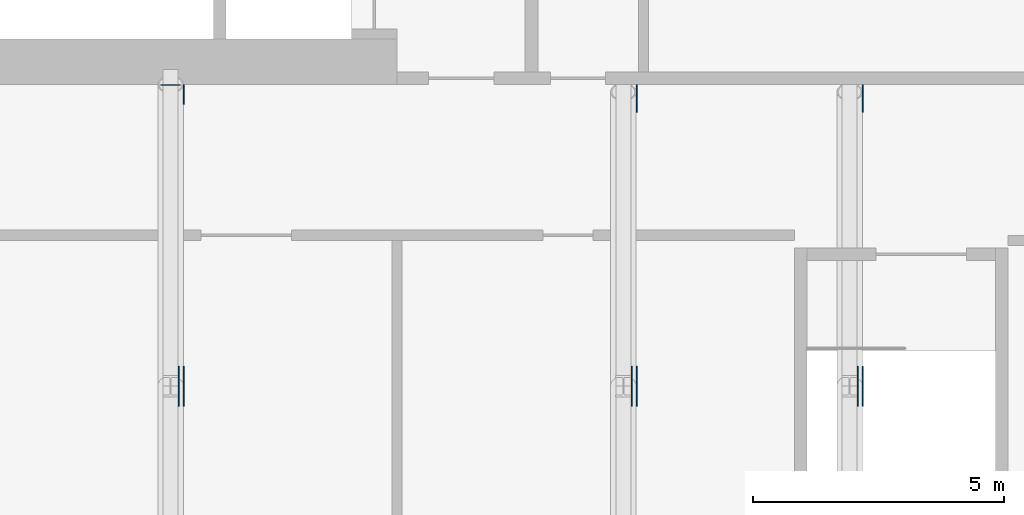
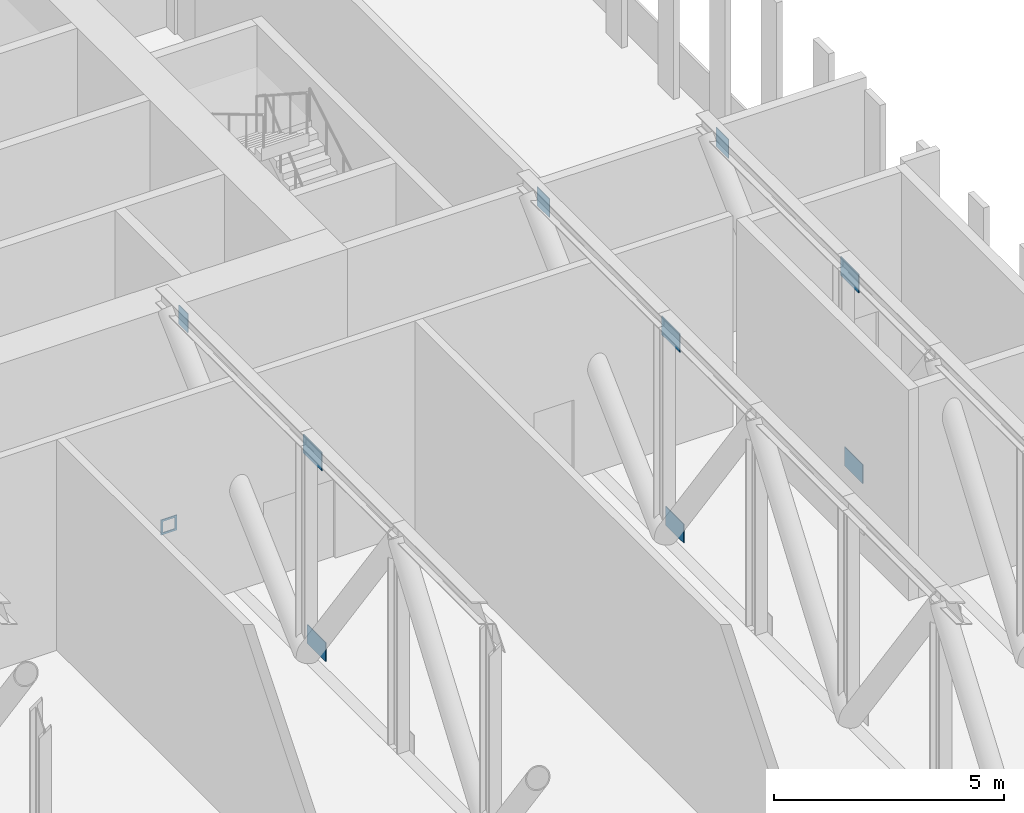
# One storey, part 18 of 26: 10 discrete accessories.
"""IFC4 building model written with IfcOpenShell, lengths in metres."""

from ifc_helpers import new_model, si_unit, direction, frame, origin, place, context, subcontext, project, spatial, polyline, outline, extrude, material, layer, layer_set, type_object, element, save


model = new_model("IFC4")

# Units and contexts
model_context = context("Model", 3, precision=1e-05, world=origin(), true_north=direction((0.0, 1.0)))
body_context = subcontext(model_context, "Body", "Model", "MODEL_VIEW")
ifc_project = project(units=[si_unit("LENGTHUNIT", "METRE"), si_unit("AREAUNIT", "SQUARE_METRE"), si_unit("VOLUMEUNIT", "CUBIC_METRE"), si_unit("PLANEANGLEUNIT", "RADIAN"), si_unit("MASSUNIT", "GRAM", prefix="KILO")], contexts=[model_context])

# Site, building, storey
site_placement = place(None, origin())
site = spatial("IfcSite", under=ifc_project, at=site_placement, CompositionType="ELEMENT")
building_placement = place(site_placement, origin())
building = spatial("IfcBuilding", under=site, at=building_placement, Name="Kajstack Hotel Tower", CompositionType="ELEMENT")
storey_placement = place(building_placement, frame((0.0, 0.0, 47.0)))
storey = spatial("IfcBuildingStorey", under=building, at=storey_placement, Name="L07", CompositionType="ELEMENT", Elevation=47.0)

# Discrete accessories
ifc_material = material(Name="Steel S355J2", Category="steel")
ifc_layer_1 = layer(ifc_material, 0.02490234375)
ifc_layer_set_1 = layer_set([ifc_layer_1], Name="CAST-IN PLATE")
discrete_accessory_type_1 = type_object("IfcDiscreteAccessoryType", Name="CAST-IN PLATE", PredefinedType="BRACKET", material=ifc_layer_set_1)
discrete_accessory_1_placement = place(storey_placement, frame((27.0, 1.47509765625, -0.14990234375), z_axis=(0.0, 1.0, 0.0), x_axis=(-1.0, 0.0, 0.0)))
element("IfcDiscreteAccessory", 1, at=discrete_accessory_1_placement, inside=storey, type_object=discrete_accessory_type_1, Name="Cast-in plate L07-002", PredefinedType="BRACKET", context=body_context, shape_type="SweptSolid", body=[
    extrude(outline(polyline([(-0.199951171875, -0.199951171875), (0.199951171875, -0.199951171875), (0.199951171875, 0.199951171875), (-0.199951171875, 0.199951171875), (-0.199951171875, -0.199951171875)]), holes=[polyline([(-0.14990234375, -0.14990234375), (-0.14990234375, 0.14990234375), (0.14990234375, 0.14990234375), (0.14990234375, -0.14990234375), (-0.14990234375, -0.14990234375)])]), origin(), (0.0, 0.0, 1.0), 0.02490234375),
])
ifc_layer_2 = layer(ifc_material, 0.02001953125)
ifc_layer_set_2 = layer_set([ifc_layer_2], Name="GUSSET PLATE")
discrete_accessory_type_2 = type_object("IfcDiscreteAccessoryType", Name="GUSSET PLATE", PredefinedType="BRACKET", material=ifc_layer_set_2)
for number, where, z_axis, x_axis, name in (
    (2, (27.25390625, -4.5, 0.0), (1.0, 0.0, 0.0), (0.0, 1.0, 0.0), "Gusset plate L07-125"),
    (3, (27.153564453125, -4.5, 5.10009765625), (1.0, 0.0, 0.0), (0.0, 1.0, 0.0), "Gusset plate L07-126"),
):
    element("IfcDiscreteAccessory", number, at=place(storey_placement, frame(where, z_axis=z_axis, x_axis=x_axis)), inside=storey, type_object=discrete_accessory_type_2, Name=name, PredefinedType="BRACKET", context=body_context, shape_type="SweptSolid", body=[
        extrude(outline(polyline([(-0.39990234375, 0.0), (0.39990234375, 0.0), (0.39990234375, 0.5), (-0.39990234375, 0.5), (-0.39990234375, 0.0)])), origin(), (0.0, 0.0, 1.0), 0.02001953125),
    ])
discrete_accessory_2_placement = place(storey_placement, frame((27.25390625, 1.5, 5.10009765625), z_axis=(1.0, 0.0, 0.0), x_axis=(0.0, 1.0, 0.0)))
element("IfcDiscreteAccessory", 4, at=discrete_accessory_2_placement, inside=storey, type_object=discrete_accessory_type_2, Name="Gusset plate L07-127", PredefinedType="BRACKET", context=body_context, shape_type="SweptSolid", body=[
    extrude(outline(polyline([(-0.39990234375, 0.0), (-0.0048828125, 0.0), (-0.0048828125, 0.5), (-0.39990234375, 0.5), (-0.39990234375, 0.0)])), origin(), (0.0, 0.0, 1.0), 0.02001953125),
])
for number, where, z_axis, x_axis, name in (
    (5, (36.25390625, -4.5, 0.0), (1.0, 0.0, 0.0), (0.0, 1.0, 0.0), "Gusset plate L07-137"),
    (6, (36.153564453125, -4.5, 5.10009765625), (1.0, 0.0, 0.0), (0.0, 1.0, 0.0), "Gusset plate L07-138"),
):
    element("IfcDiscreteAccessory", number, at=place(storey_placement, frame(where, z_axis=z_axis, x_axis=x_axis)), inside=storey, type_object=discrete_accessory_type_2, Name=name, PredefinedType="BRACKET", context=body_context, shape_type="SweptSolid", body=[
        extrude(outline(polyline([(-0.39990234375, 0.0), (0.39990234375, 0.0), (0.39990234375, 0.5), (-0.39990234375, 0.5), (-0.39990234375, 0.0)])), origin(), (0.0, 0.0, 1.0), 0.02001953125),
    ])
discrete_accessory_3_placement = place(storey_placement, frame((36.25390625, 1.35009765625, 5.10009765625), z_axis=(1.0, 0.0, 0.0), x_axis=(0.0, 1.0, 0.0)))
element("IfcDiscreteAccessory", 7, at=discrete_accessory_3_placement, inside=storey, type_object=discrete_accessory_type_2, Name="Gusset plate L07-139", PredefinedType="BRACKET", context=body_context, shape_type="SweptSolid", body=[
    extrude(outline(polyline([(-0.39990234375, 0.0), (0.14501953125, 0.0), (0.14501953125, 0.5), (-0.39990234375, 0.5), (-0.39990234375, 0.0)])), origin(), (0.0, 0.0, 1.0), 0.02001953125),
])
for number, where, z_axis, x_axis, name in (
    (8, (40.75390625, -4.5, 0.0), (1.0, 0.0, 0.0), (0.0, 1.0, 0.0), "Gusset plate L07-148"),
    (9, (40.653564453125, -4.5, 5.10009765625), (1.0, 0.0, 0.0), (0.0, 1.0, 0.0), "Gusset plate L07-149"),
):
    element("IfcDiscreteAccessory", number, at=place(storey_placement, frame(where, z_axis=z_axis, x_axis=x_axis)), inside=storey, type_object=discrete_accessory_type_2, Name=name, PredefinedType="BRACKET", context=body_context, shape_type="SweptSolid", body=[
        extrude(outline(polyline([(-0.39990234375, 0.0), (0.39990234375, 0.0), (0.39990234375, 0.5), (-0.39990234375, 0.5), (-0.39990234375, 0.0)])), origin(), (0.0, 0.0, 1.0), 0.02001953125),
    ])
discrete_accessory_4_placement = place(storey_placement, frame((40.75390625, 1.35009765625, 5.10009765625), z_axis=(1.0, 0.0, 0.0), x_axis=(0.0, 1.0, 0.0)))
element("IfcDiscreteAccessory", 10, at=discrete_accessory_4_placement, inside=storey, type_object=discrete_accessory_type_2, Name="Gusset plate L07-150", PredefinedType="BRACKET", context=body_context, shape_type="SweptSolid", body=[
    extrude(outline(polyline([(-0.39990234375, 0.0), (0.14501953125, 0.0), (0.14501953125, 0.5), (-0.39990234375, 0.5), (-0.39990234375, 0.0)])), origin(), (0.0, 0.0, 1.0), 0.02001953125),
])

save(model, "model.ifc")
